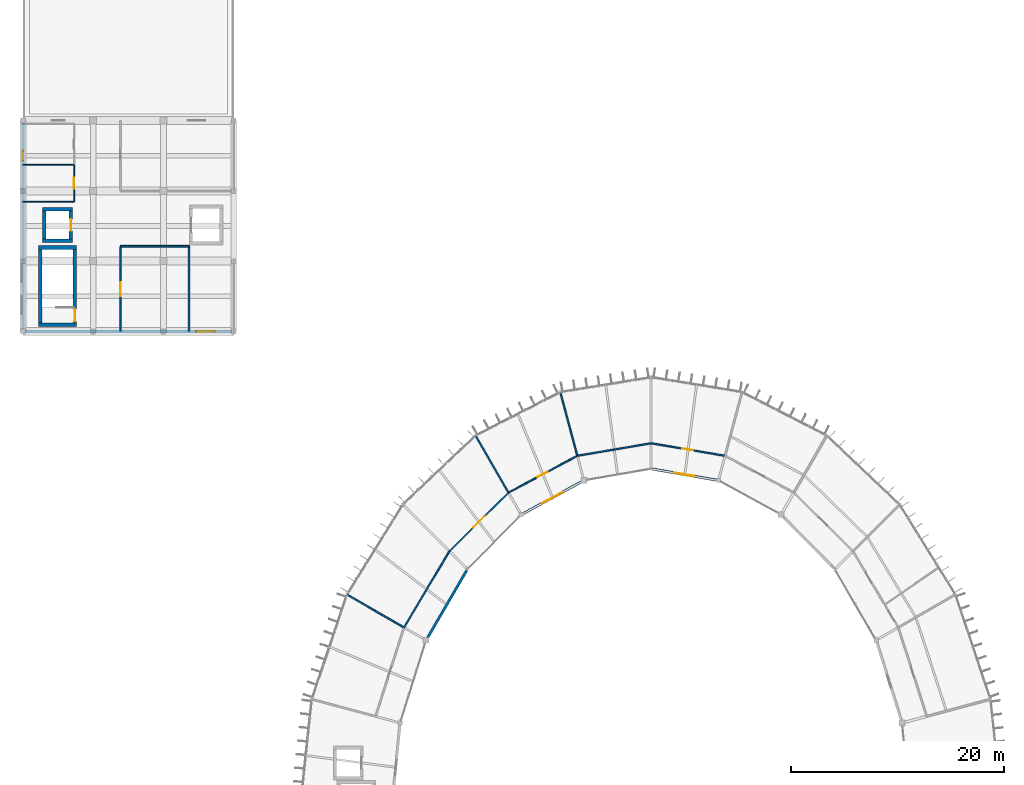
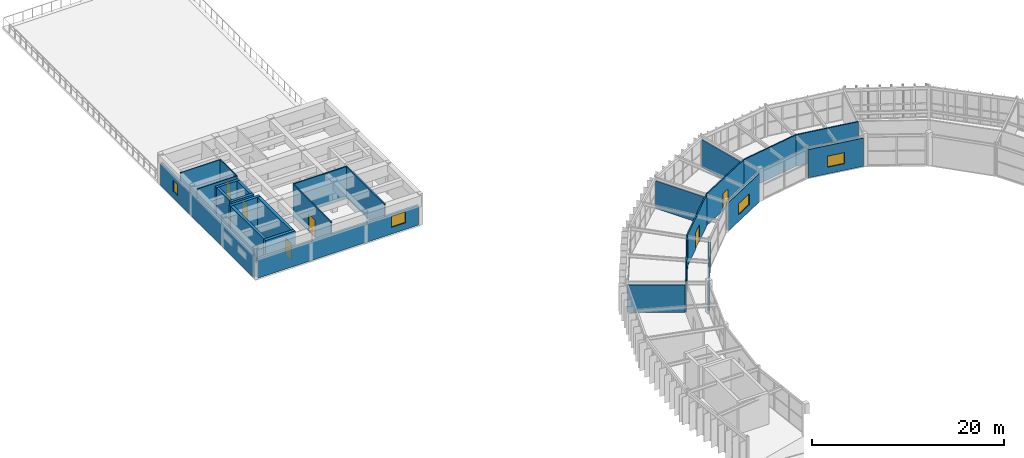
# One storey, part 95 of 106: 27 walls, 7 doors, 4 windows, 11 openings.
"""IFC4 building model written with IfcOpenShell, lengths in metres."""

from ifc_helpers import new_model, si_unit, direction, frame, frame_2d, origin, place, context, subcontext, project, spatial, rectangle, extrude, material, layer, layer_set, type_object, element, fill, save


model = new_model("IFC4")

# Units and contexts
model_context = context("Model", 3, precision=1e-05, world=origin(), true_north=direction((0.0, 1.0)))
body_context = subcontext(model_context, "Body", "Model", "MODEL_VIEW")
ifc_project = project(units=[si_unit("LENGTHUNIT", "METRE"), si_unit("AREAUNIT", "SQUARE_METRE"), si_unit("VOLUMEUNIT", "CUBIC_METRE"), si_unit("PLANEANGLEUNIT", "RADIAN"), si_unit("MASSUNIT", "GRAM", prefix="KILO")], contexts=[model_context])

# Site, building, storey
site_placement = place(None, origin())
site = spatial("IfcSite", under=ifc_project, at=site_placement, CompositionType="ELEMENT")
building_placement = place(site_placement, origin())
building = spatial("IfcBuilding", under=site, at=building_placement, Name="Karori Crest Natural Sciences Institute", CompositionType="ELEMENT")
storey_placement = place(building_placement, frame((0.0, 0.0, 25.89990234375)))
storey = spatial("IfcBuildingStorey", under=building, at=storey_placement, Name="L06", CompositionType="ELEMENT", Elevation=25.89990234375)

# Walls
ifc_material_1 = material(Name="Concrete 50 MPa", Category="concrete")
ifc_layer_1 = layer(ifc_material_1, 0.35009765625, Name="Concrete 50 MPa")
ifc_layer_set_1 = layer_set([ifc_layer_1], Name="Concrete 50 MPa")
wall_type_1 = type_object("IfcWallType", Name="IWT-02", PredefinedType="SHEAR", material=ifc_layer_set_1)
for number, where, z_axis, x_axis, name in (
    (1, (8.85009765625, 95.625, 0.0), (0.0, 0.0, 1.0), (1.0, 0.0, 0.0), "Shear wall IW-0193"),
    (2, (8.85009765625, 102.875, 0.0), (0.0, 0.0, 1.0), (1.0, 0.0, 0.0), "Shear wall IW-0194"),
):
    element("IfcWall", number, at=place(storey_placement, frame(where, z_axis=z_axis, x_axis=x_axis)), inside=storey, type_object=wall_type_1, Name=name, PredefinedType="SHEAR", context=body_context, shape_type="SweptSolid", body=[
        extrude(rectangle(XDim=3.599853515625, YDim=0.35009765625, at=frame_2d((1.7998046875, 0.0))), origin(), (0.0, 0.0, 1.0), 4.0),
    ])
wall_1_placement = place(storey_placement, frame((9.02490234375, 95.802001953125, 0.0), z_axis=(0.0, 0.0, 1.0), x_axis=(0.0, 1.0, 0.0)))
element("IfcWall", 3, at=wall_1_placement, inside=storey, type_object=wall_type_1, Name="Shear wall IW-0195", PredefinedType="SHEAR", context=body_context, shape_type="SweptSolid", body=[
    extrude(rectangle(XDim=6.89599609375, YDim=0.35009765625, at=frame_2d((3.447998046875, 0.0))), origin(), (0.0, 0.0, 1.0), 4.0),
])

# Wall, opening, door
wall_2_placement = place(storey_placement, frame((12.27490234375, 95.802001953125, 0.0), z_axis=(0.0, 0.0, 1.0), x_axis=(0.0, 1.0, 0.0)))
wall_2 = element("IfcWall", 4, at=wall_2_placement, inside=storey, type_object=wall_type_1, Name="Shear wall IW-0196", PredefinedType="SHEAR", context=body_context, shape_type="SweptSolid", body=[
    extrude(rectangle(XDim=6.89599609375, YDim=0.35009765625, at=frame_2d((3.447998046875, 0.0))), origin(), (0.0, 0.0, 1.0), 4.0),
])
opening_1_placement = place(wall_2_placement, frame((0.1201171875, 0.0, 0.0)))
opening_1 = element("IfcOpeningElement", 5, at=opening_1_placement, cuts=wall_2, Name="Opening ID-0049", PredefinedType="OPENING", context=body_context, shape_type="SweptSolid", body=[
    extrude(rectangle(XDim=1.199951171875, YDim=2.14990234375, at=frame_2d((0.60009765625, 1.074951171875))), frame((0.0, 0.18505859375, 0.0), z_axis=(0.0, -1.0, 0.0), x_axis=(1.0, 0.0, 0.0)), (0.0, 0.0, 1.0), 0.3701171875),
])
ifc_material_2 = material(Name="Stainless steel 316 and fire-rated timber", Category="steel")
door_type_1 = type_object("IfcDoorType", Name="IDT-01", OperationType="NOTDEFINED", PredefinedType="DOOR", material=ifc_material_2)
door_1_placement = place(opening_1_placement, origin())
door_1 = element("IfcDoor", 6, at=door_1_placement, inside=storey, type_object=door_type_1, Name="Stair ST-05 fire door ID-0049", OperationType="SINGLE_SWING_LEFT", OverallHeight=2.14990234375, OverallWidth=1.199951171875, PredefinedType="DOOR", context=body_context, shape_type="SweptSolid", body=[
    extrude(rectangle(XDim=1.199951171875, YDim=2.14990234375, at=frame_2d((0.60009765625, 1.074951171875))), frame((0.0, 0.02490234375, 0.0), z_axis=(0.0, -1.0, 0.0), x_axis=(1.0, 0.0, 0.0)), (0.0, 0.0, 1.0), 0.050048828125),
])
fill(opening_1, door_1)

# Walls
ifc_layer_2 = layer(ifc_material_1, 0.320068359375, Name="Concrete 50 MPa")
ifc_layer_set_2 = layer_set([ifc_layer_2], Name="Concrete 50 MPa")
wall_type_2 = type_object("IfcWallType", Name="IWT-03", PredefinedType="SHEAR", material=ifc_layer_set_2)
for number, where, z_axis, x_axis, name in (
    (7, (9.2451171875, 103.5048828125, 0.0), (0.0, 0.0, 1.0), (1.0, 0.0, 0.0), "Shear wall IW-0515"),
    (8, (9.2451171875, 106.4951171875, 0.0), (0.0, 0.0, 1.0), (1.0, 0.0, 0.0), "Shear wall IW-0516"),
):
    element("IfcWall", number, at=place(storey_placement, frame(where, z_axis=z_axis, x_axis=x_axis)), inside=storey, type_object=wall_type_2, Name=name, PredefinedType="SHEAR", context=body_context, shape_type="SweptSolid", body=[
        extrude(rectangle(XDim=2.809814453125, YDim=0.320068359375, at=frame_2d((1.40478515625, 0.0))), origin(), (0.0, 0.0, 1.0), 4.0),
    ])
wall_3_placement = place(storey_placement, frame((9.405029296875, 103.6669921875, 0.0), z_axis=(0.0, 0.0, 1.0), x_axis=(0.0, 1.0, 0.0)))
element("IfcWall", 9, at=wall_3_placement, inside=storey, type_object=wall_type_2, Name="Shear wall IW-0517", PredefinedType="SHEAR", context=body_context, shape_type="SweptSolid", body=[
    extrude(rectangle(XDim=2.666015625, YDim=0.320068359375, at=frame_2d((1.3330078125, 0.0))), origin(), (0.0, 0.0, 1.0), 4.0),
])

# Wall, opening, door
wall_4_placement = place(storey_placement, frame((11.89501953125, 103.6669921875, 0.0), z_axis=(0.0, 0.0, 1.0), x_axis=(0.0, 1.0, 0.0)))
wall_4 = element("IfcWall", 10, at=wall_4_placement, inside=storey, type_object=wall_type_2, Name="Shear wall IW-0518", PredefinedType="SHEAR", context=body_context, shape_type="SweptSolid", body=[
    extrude(rectangle(XDim=2.666015625, YDim=0.320068359375, at=frame_2d((1.3330078125, 0.0))), origin(), (0.0, 0.0, 1.0), 4.0),
])
opening_2_placement = place(wall_4_placement, frame((0.782958984375, 0.0, 0.0)))
opening_2 = element("IfcOpeningElement", 11, at=opening_2_placement, cuts=wall_4, Name="Opening LD-0055", PredefinedType="OPENING", context=body_context, shape_type="SweptSolid", body=[
    extrude(rectangle(XDim=1.10009765625, YDim=2.14990234375, at=frame_2d((0.550048828125, 1.074951171875))), frame((0.0, 0.169921875, 0.0), z_axis=(0.0, -1.0, 0.0), x_axis=(1.0, 0.0, 0.0)), (0.0, 0.0, 1.0), 0.340087890625),
])
door_type_2 = type_object("IfcDoorType", Name="LDT-01", OperationType="SLIDING_TO_LEFT", PredefinedType="DOOR", material=ifc_material_2)
door_2_placement = place(opening_2_placement, origin())
door_2 = element("IfcDoor", 12, at=door_2_placement, inside=storey, type_object=door_type_2, Name="Lift LP-04 landing door LD-0055", OperationType="SLIDING_TO_LEFT", OverallHeight=2.14990234375, OverallWidth=1.10009765625, PredefinedType="DOOR", context=body_context, shape_type="SweptSolid", body=[
    extrude(rectangle(XDim=1.10009765625, YDim=2.14990234375, at=frame_2d((0.550048828125, 1.074951171875))), frame((0.0, 0.02490234375, 0.0), z_axis=(0.0, -1.0, 0.0), x_axis=(1.0, 0.0, 0.0)), (0.0, 0.0, 1.0), 0.050048828125),
])
fill(opening_2, door_2)

# Wall
ifc_material_3 = material(Name="Clean-room insulated fire partition")
ifc_layer_3 = layer(ifc_material_3, 0.14990234375, Name="Clean-room insulated fire partition")
ifc_layer_set_3 = layer_set([ifc_layer_3], Name="Clean-room insulated fire partition")
wall_type_3 = type_object("IfcWallType", Name="IWT-06", PredefinedType="PARTITIONING", material=ifc_layer_set_3)
wall_5_placement = place(storey_placement, frame((16.550048828125, 103.0, 0.0), z_axis=(0.0, 0.0, 1.0), x_axis=(1.0, 0.0, 0.0)))
element("IfcWall", 13, at=wall_5_placement, inside=storey, type_object=wall_type_3, Name="Partition wall IW-1045", PredefinedType="PARTITIONING", context=body_context, shape_type="SweptSolid", body=[
    extrude(rectangle(XDim=6.449951171875, YDim=0.14990234375, at=frame_2d((3.22509765625, 0.0))), origin(), (0.0, 0.0, 1.0), 3.97998046875),
])

# Wall, opening, door
wall_6_placement = place(storey_placement, frame((16.550048828125, 95.0, 0.0), z_axis=(0.0, 0.0, 1.0), x_axis=(0.0, 1.0, 0.0)))
wall_6 = element("IfcWall", 14, at=wall_6_placement, inside=storey, type_object=wall_type_3, Name="Partition wall IW-1046", PredefinedType="PARTITIONING", context=body_context, shape_type="SweptSolid", body=[
    extrude(rectangle(XDim=7.923095703125, YDim=0.14990234375, at=frame_2d((3.96142578125, 0.0))), origin(), (0.0, 0.0, 1.0), 3.97998046875),
])
opening_3_placement = place(wall_6_placement, frame((3.3115234375, 0.0, 0.0)))
opening_3 = element("IfcOpeningElement", 15, at=opening_3_placement, cuts=wall_6, Name="Opening ID-0291", PredefinedType="OPENING", context=body_context, shape_type="SweptSolid", body=[
    extrude(rectangle(XDim=1.300048828125, YDim=2.199951171875, at=frame_2d((0.64990234375, 1.10009765625))), frame((0.0, 0.0849609375, 0.0), z_axis=(0.0, -1.0, 0.0), x_axis=(1.0, 0.0, 0.0)), (0.0, 0.0, 1.0), 0.169921875),
])
door_type_3 = type_object("IfcDoorType", Name="IDT-04", OperationType="NOTDEFINED", PredefinedType="DOOR", material=ifc_material_2)
door_3_placement = place(opening_3_placement, origin())
door_3 = element("IfcDoor", 16, at=door_3_placement, inside=storey, type_object=door_type_3, Name="Clean-Room FFU Makeup Air Plant Room door ID-0291", OperationType="SINGLE_SWING_LEFT", OverallHeight=2.199951171875, OverallWidth=1.300048828125, PredefinedType="DOOR", context=body_context, shape_type="SweptSolid", body=[
    extrude(rectangle(XDim=1.300048828125, YDim=2.199951171875, at=frame_2d((0.64990234375, 1.10009765625))), frame((0.0, 0.02490234375, 0.0), z_axis=(0.0, -1.0, 0.0), x_axis=(1.0, 0.0, 0.0)), (0.0, 0.0, 1.0), 0.050048828125),
])
fill(opening_3, door_3)

# Wall
wall_7_placement = place(storey_placement, frame((23.0, 95.0, 0.0), z_axis=(0.0, 0.0, 1.0), x_axis=(0.0, 1.0, 0.0)))
element("IfcWall", 17, at=wall_7_placement, inside=storey, type_object=wall_type_3, Name="Partition wall IW-1047", PredefinedType="PARTITIONING", context=body_context, shape_type="SweptSolid", body=[
    extrude(rectangle(XDim=8.0, YDim=0.14990234375, at=frame_2d((4.0, 0.0))), origin(), (0.0, 0.0, 1.0), 3.97998046875),
])

# Wall, opening, door
ifc_material_4 = material(Name="Laboratory acoustic drywall partition")
ifc_layer_4 = layer(ifc_material_4, 0.139892578125, Name="Laboratory acoustic drywall partition")
ifc_layer_set_4 = layer_set([ifc_layer_4], Name="Laboratory acoustic drywall partition")
wall_type_4 = type_object("IfcWallType", Name="IWT-07", PredefinedType="PARTITIONING", material=ifc_layer_set_4)
wall_8_placement = place(storey_placement, frame((73.26513671875, 83.3330078125, 0.0), z_axis=(0.0, 0.0, 1.0), x_axis=(-0.985858163623, 0.167581864229, 0.0)))
wall_8 = element("IfcWall", 18, at=wall_8_placement, inside=storey, type_object=wall_type_4, Name="Partition wall IW-1430", PredefinedType="PARTITIONING", context=body_context, shape_type="SweptSolid", body=[
    extrude(rectangle(XDim=6.963623046875, YDim=0.139892578125, at=frame_2d((3.48193359375, 0.0))), origin(), (0.0, 0.0, 1.0), 4.0),
])
opening_4_placement = place(wall_8_placement, frame((2.956787109375, 0.0, 0.0)))
opening_4 = element("IfcOpeningElement", 19, at=opening_4_placement, cuts=wall_8, Name="Opening ID-0458", PredefinedType="OPENING", context=body_context, shape_type="SweptSolid", body=[
    extrude(rectangle(XDim=1.050048828125, YDim=2.14990234375, at=frame_2d((0.52490234375, 1.074951171875))), frame((0.0, 0.080078125, 0.0), z_axis=(0.0, -1.0, 0.0), x_axis=(1.0, 0.0, 0.0)), (0.0, 0.0, 1.0), 0.159912109375),
])
door_type_4 = type_object("IfcDoorType", Name="IDT-03", OperationType="NOTDEFINED", PredefinedType="DOOR", material=ifc_material_2)
door_4_placement = place(opening_4_placement, origin())
door_4 = element("IfcDoor", 20, at=door_4_placement, inside=storey, type_object=door_type_4, Name="Wet Biology Laboratory door ID-0458", OperationType="SINGLE_SWING_RIGHT", OverallHeight=2.14990234375, OverallWidth=1.050048828125, PredefinedType="DOOR", context=body_context, shape_type="SweptSolid", body=[
    extrude(rectangle(XDim=1.050048828125, YDim=2.14990234375, at=frame_2d((0.52490234375, 1.074951171875))), frame((0.0, 0.02490234375, 0.0), z_axis=(0.0, -1.0, 0.0), x_axis=(1.0, 0.0, 0.0)), (0.0, 0.0, 1.0), 0.050048828125),
])
fill(opening_4, door_4)

# Walls
wall_9_placement = place(storey_placement, frame((66.39794921875, 84.499755859375, 0.0), z_axis=(0.0, 0.0, 1.0), x_axis=(-0.985858771321, -0.167578289193, 0.0)))
element("IfcWall", 21, at=wall_9_placement, inside=storey, type_object=wall_type_4, Name="Partition wall IW-1431", PredefinedType="PARTITIONING", context=body_context, shape_type="SweptSolid", body=[
    extrude(rectangle(XDim=7.03369140625, YDim=0.139892578125, at=frame_2d((3.516845703125, 0.0))), origin(), (0.0, 0.0, 1.0), 4.0),
])
wall_10_placement = place(storey_placement, frame((59.44287109375, 83.398193359375, 0.0), z_axis=(0.0, 0.0, 1.0), x_axis=(-0.258805895167, 0.965929349708, 0.0)))
element("IfcWall", 22, at=wall_10_placement, inside=storey, type_object=wall_type_4, Name="Partition wall IW-1432", PredefinedType="PARTITIONING", context=body_context, shape_type="SweptSolid", body=[
    extrude(rectangle(XDim=6.06005859375, YDim=0.139892578125, at=frame_2d((3.030029296875, 0.0))), origin(), (0.0, 0.0, 1.0), 3.522216796875),
])

# Wall, opening, door
wall_11_placement = place(storey_placement, frame((59.3984375, 83.2861328125, 0.0), z_axis=(0.0, 0.0, 1.0), x_axis=(-0.881829873621, -0.471567676999, 0.0)))
wall_11 = element("IfcWall", 23, at=wall_11_placement, inside=storey, type_object=wall_type_4, Name="Partition wall IW-1433", PredefinedType="PARTITIONING", context=body_context, shape_type="SweptSolid", body=[
    extrude(rectangle(XDim=7.255859375, YDim=0.139892578125, at=frame_2d((3.6279296875, 0.0))), origin(), (0.0, 0.0, 1.0), 4.0),
])
opening_5_placement = place(wall_11_placement, frame((3.10302734375, 0.0, 0.0)))
opening_5 = element("IfcOpeningElement", 24, at=opening_5_placement, cuts=wall_11, Name="Opening ID-0459", PredefinedType="OPENING", context=body_context, shape_type="SweptSolid", body=[
    extrude(rectangle(XDim=1.050048828125, YDim=2.14990234375, at=frame_2d((0.52490234375, 1.074951171875))), frame((0.0, 0.080078125, 0.0), z_axis=(0.0, -1.0, 0.0), x_axis=(1.0, 0.0, 0.0)), (0.0, 0.0, 1.0), 0.159912109375),
])
door_5_placement = place(opening_5_placement, origin())
door_5 = element("IfcDoor", 25, at=door_5_placement, inside=storey, type_object=door_type_4, Name="Organic Biogeochemistry Laboratory door ID-0459", OperationType="SINGLE_SWING_LEFT", OverallHeight=2.14990234375, OverallWidth=1.050048828125, PredefinedType="DOOR", context=body_context, shape_type="SweptSolid", body=[
    extrude(rectangle(XDim=1.050048828125, YDim=2.14990234375, at=frame_2d((0.52490234375, 1.074951171875))), frame((0.0, 0.02490234375, 0.0), z_axis=(0.0, -1.0, 0.0), x_axis=(1.0, 0.0, 0.0)), (0.0, 0.0, 1.0), 0.050048828125),
])
fill(opening_5, door_5)

# Wall
wall_12_placement = place(storey_placement, frame((52.9599609375, 79.933837890625, 0.0), z_axis=(0.0, 0.0, 1.0), x_axis=(-0.500008418462, 0.866020543329, 0.0)))
element("IfcWall", 26, at=wall_12_placement, inside=storey, type_object=wall_type_4, Name="Partition wall IW-1434", PredefinedType="PARTITIONING", context=body_context, shape_type="SweptSolid", body=[
    extrude(rectangle(XDim=6.06005859375, YDim=0.139892578125, at=frame_2d((3.030029296875, 0.0))), origin(), (0.0, 0.0, 1.0), 3.522216796875),
])

# Wall, opening, door
wall_13_placement = place(storey_placement, frame((52.99853515625, 79.863037109375, 0.0), z_axis=(0.0, 0.0, 1.0), x_axis=(-0.710427757183, -0.703770134222, 0.0)))
wall_13 = element("IfcWall", 27, at=wall_13_placement, inside=storey, type_object=wall_type_4, Name="Partition wall IW-1435", PredefinedType="PARTITIONING", context=body_context, shape_type="SweptSolid", body=[
    extrude(rectangle(XDim=7.810791015625, YDim=0.139892578125, at=frame_2d((3.9052734375, 0.0))), origin(), (0.0, 0.0, 1.0), 4.0),
])
opening_6_placement = place(wall_13_placement, frame((3.155517578125, 0.0, 0.0)))
opening_6 = element("IfcOpeningElement", 28, at=opening_6_placement, cuts=wall_13, Name="Opening ID-0460", PredefinedType="OPENING", context=body_context, shape_type="SweptSolid", body=[
    extrude(rectangle(XDim=1.5, YDim=2.14990234375, at=frame_2d((0.75, 1.074951171875))), frame((0.0, 0.080078125, 0.0), z_axis=(0.0, -1.0, 0.0), x_axis=(1.0, 0.0, 0.0)), (0.0, 0.0, 1.0), 0.159912109375),
])
door_type_5 = type_object("IfcDoorType", Name="IDT-05", OperationType="DOUBLE_DOOR_SINGLE_SWING", PredefinedType="DOOR", material=ifc_material_2)
door_6_placement = place(opening_6_placement, origin())
door_6 = element("IfcDoor", 29, at=door_6_placement, inside=storey, type_object=door_type_5, Name="Molecular Ecology Wet Laboratory door ID-0460", OperationType="DOUBLE_DOOR_SINGLE_SWING", OverallHeight=2.14990234375, OverallWidth=1.5, PredefinedType="DOOR", context=body_context, shape_type="SweptSolid", body=[
    extrude(rectangle(XDim=1.5, YDim=2.14990234375, at=frame_2d((0.75, 1.074951171875))), frame((0.0, 0.02490234375, 0.0), z_axis=(0.0, -1.0, 0.0), x_axis=(1.0, 0.0, 0.0)), (0.0, 0.0, 1.0), 0.050048828125),
])
fill(opening_6, door_6)

# Walls
wall_14_placement = place(storey_placement, frame((47.448486328125, 74.3642578125, 0.0), z_axis=(0.0, 0.0, 1.0), x_axis=(-0.510915698067, -0.859630821614, 0.0)))
element("IfcWall", 30, at=wall_14_placement, inside=storey, type_object=wall_type_4, Name="Partition wall IW-1436", PredefinedType="PARTITIONING", context=body_context, shape_type="SweptSolid", body=[
    extrude(rectangle(XDim=8.334228515625, YDim=0.139892578125, at=frame_2d((4.1669921875, 0.0))), origin(), (0.0, 0.0, 1.0), 4.0),
])
wall_15_placement = place(storey_placement, frame((43.12109375, 67.239990234375, 0.0), z_axis=(0.0, 0.0, 1.0), x_axis=(-0.866010470582, 0.500025864173, 0.0)))
element("IfcWall", 31, at=wall_15_placement, inside=storey, type_object=wall_type_4, Name="Partition wall IW-1437", PredefinedType="PARTITIONING", context=body_context, shape_type="SweptSolid", body=[
    extrude(rectangle(XDim=6.059814453125, YDim=0.139892578125, at=frame_2d((3.02978515625, 0.0))), origin(), (0.0, 0.0, 1.0), 3.522216796875),
])
ifc_material_5 = material(Name="Washroom moisture-resistant partition")
ifc_layer_5 = layer(ifc_material_5, 0.10009765625, Name="Washroom moisture-resistant partition")
ifc_layer_set_5 = layer_set([ifc_layer_5], Name="Washroom moisture-resistant partition")
wall_type_5 = type_object("IfcWallType", Name="IWT-09", PredefinedType="PARTITIONING", material=ifc_layer_set_5)
for number, where, z_axis, x_axis, name in (
    (32, (7.39990234375, 107.199951171875, 0.0), (0.0, 0.0, 1.0), (1.0, 0.0, 0.0), "Partition wall IW-1040"),
    (33, (7.39990234375, 110.64990234375, 0.0), (0.0, 0.0, 1.0), (1.0, 0.0, 0.0), "Partition wall IW-1041"),
):
    element("IfcWall", number, at=place(storey_placement, frame(where, z_axis=z_axis, x_axis=x_axis)), inside=storey, type_object=wall_type_5, Name=name, PredefinedType="PARTITIONING", context=body_context, shape_type="SweptSolid", body=[
        extrude(rectangle(XDim=4.800048828125, YDim=0.10009765625, at=frame_2d((2.39990234375, 0.0))), origin(), (0.0, 0.0, 1.0), 3.97998046875),
    ])

# Wall, opening, door
wall_16_placement = place(storey_placement, frame((12.199951171875, 107.199951171875, 0.0), z_axis=(0.0, 0.0, 1.0), x_axis=(0.0, 1.0, 0.0)))
wall_16 = element("IfcWall", 34, at=wall_16_placement, inside=storey, type_object=wall_type_5, Name="Partition wall IW-1042", PredefinedType="PARTITIONING", context=body_context, shape_type="SweptSolid", body=[
    extrude(rectangle(XDim=3.449951171875, YDim=0.10009765625, at=frame_2d((1.72509765625, 0.0))), origin(), (0.0, 0.0, 1.0), 3.97998046875),
])
opening_7_placement = place(wall_16_placement, frame((1.22509765625, 0.0, 0.0)))
opening_7 = element("IfcOpeningElement", 35, at=opening_7_placement, cuts=wall_16, Name="Opening ID-0289", PredefinedType="OPENING", context=body_context, shape_type="SweptSolid", body=[
    extrude(rectangle(XDim=1.0, YDim=2.10009765625, at=frame_2d((0.5, 1.050048828125))), frame((0.0, 0.06005859375, 0.0), z_axis=(0.0, -1.0, 0.0), x_axis=(1.0, 0.0, 0.0)), (0.0, 0.0, 1.0), 0.1201171875),
])
ifc_material_6 = material(Name="Anodised aluminium and acoustic timber", Category="wood")
door_type_6 = type_object("IfcDoorType", Name="IDT-09", OperationType="NOTDEFINED", PredefinedType="DOOR", material=ifc_material_6)
door_7_placement = place(opening_7_placement, origin())
door_7 = element("IfcDoor", 36, at=door_7_placement, inside=storey, type_object=door_type_6, Name="Accessible WC door ID-0289", OperationType="SINGLE_SWING_LEFT", OverallHeight=2.10009765625, OverallWidth=1.0, PredefinedType="DOOR", context=body_context, shape_type="SweptSolid", body=[
    extrude(rectangle(XDim=1.0, YDim=2.10009765625, at=frame_2d((0.5, 1.050048828125))), frame((0.0, 0.02490234375, 0.0), z_axis=(0.0, -1.0, 0.0), x_axis=(1.0, 0.0, 0.0)), (0.0, 0.0, 1.0), 0.050048828125),
])
fill(opening_7, door_7)

# Wall, opening, window
ifc_material_7 = material(Name="Precast concrete 40 MPa", Category="concrete")
ifc_layer_6 = layer(ifc_material_7, 0.260009765625, Name="Precast concrete 40 MPa")
ifc_layer_set_6 = layer_set([ifc_layer_6], Name="Precast concrete 40 MPa")
wall_type_6 = type_object("IfcWallType", Name="WT-03", PredefinedType="SOLIDWALL", material=ifc_layer_set_6)
wall_17_placement = place(storey_placement, frame((7.39990234375, 95.222900390625, 0.0), z_axis=(0.0, 0.0, 1.0), x_axis=(0.0, 1.0, 0.0)))
wall_17 = element("IfcWall", 37, at=wall_17_placement, inside=storey, type_object=wall_type_6, Name="Exterior wall EW-0182", PredefinedType="SOLIDWALL", context=body_context, shape_type="SweptSolid", body=[
    extrude(rectangle(XDim=19.35400390625, YDim=0.260009765625, at=frame_2d((9.677001953125, 0.0))), origin(), (0.0, 0.0, 1.0), 2.885009765625),
])
opening_8_placement = place(wall_17_placement, frame((15.826904296875, 0.0, 0.85009765625)))
opening_8 = element("IfcOpeningElement", 38, at=opening_8_placement, cuts=wall_17, Name="Opening WN-0126", PredefinedType="OPENING", context=body_context, shape_type="SweptSolid", body=[
    extrude(rectangle(XDim=0.89990234375, YDim=1.35009765625, at=frame_2d((0.449951171875, 0.675048828125))), frame((0.0, 0.14013671875, 0.0), z_axis=(0.0, -1.0, 0.0), x_axis=(1.0, 0.0, 0.0)), (0.0, 0.0, 1.0), 0.280029296875),
])
ifc_material_8 = material(Name="Double low-E laminated glass", Category="glass")
window_type_1 = type_object("IfcWindowType", Name="WNT-17", PartitioningType="SINGLE_PANEL", PredefinedType="WINDOW", material=ifc_material_8)
window_1_placement = place(opening_8_placement, origin())
window_1 = element("IfcWindow", 39, at=window_1_placement, inside=storey, type_object=window_type_1, Name="Window WN-0126", OverallHeight=1.35009765625, OverallWidth=0.89990234375, PartitioningType="SINGLE_PANEL", PredefinedType="WINDOW", context=body_context, shape_type="SweptSolid", body=[
    extrude(rectangle(XDim=0.89990234375, YDim=1.35009765625, at=frame_2d((0.449951171875, 0.675048828125))), frame((0.0, 0.030029296875, 0.0), z_axis=(0.0, -1.0, 0.0), x_axis=(1.0, 0.0, 0.0)), (0.0, 0.0, 1.0), 0.06005859375),
])
fill(opening_8, window_1)

wall_18_placement = place(storey_placement, frame((26.97705078125, 95.0, 0.0), z_axis=(0.0, 0.0, 1.0), x_axis=(-1.0, 0.0, 0.0)))
wall_18 = element("IfcWall", 40, at=wall_18_placement, inside=storey, type_object=wall_type_6, Name="Exterior wall EW-0184", PredefinedType="SOLIDWALL", context=body_context, shape_type="SweptSolid", body=[
    extrude(rectangle(XDim=19.35400390625, YDim=0.260009765625, at=frame_2d((9.677001953125, 0.0))), origin(), (0.0, 0.0, 1.0), 2.47998046875),
])
opening_9_placement = place(wall_18_placement, frame((1.576904296875, 0.0, 0.85009765625)))
opening_9 = element("IfcOpeningElement", 41, at=opening_9_placement, cuts=wall_18, Name="Opening WN-0128", PredefinedType="OPENING", context=body_context, shape_type="SweptSolid", body=[
    extrude(rectangle(XDim=1.699951171875, YDim=1.39990234375, at=frame_2d((0.85009765625, 0.699951171875))), frame((0.0, 0.14013671875, 0.0), z_axis=(0.0, -1.0, 0.0), x_axis=(1.0, 0.0, 0.0)), (0.0, 0.0, 1.0), 0.280029296875),
])
window_type_2 = type_object("IfcWindowType", Name="WNT-05", PartitioningType="SINGLE_PANEL", PredefinedType="WINDOW", material=ifc_material_8)
window_2_placement = place(opening_9_placement, origin())
window_2 = element("IfcWindow", 42, at=window_2_placement, inside=storey, type_object=window_type_2, Name="Window WN-0128", OverallHeight=1.39990234375, OverallWidth=1.699951171875, PartitioningType="SINGLE_PANEL", PredefinedType="WINDOW", context=body_context, shape_type="SweptSolid", body=[
    extrude(rectangle(XDim=1.699951171875, YDim=1.39990234375, at=frame_2d((0.85009765625, 0.699951171875))), frame((0.0, 0.030029296875, 0.0), z_axis=(0.0, -1.0, 0.0), x_axis=(1.0, 0.0, 0.0)), (0.0, 0.0, 1.0), 0.06005859375),
])
fill(opening_9, window_2)

ifc_layer_7 = layer(ifc_material_7, 0.239990234375, Name="Precast concrete 40 MPa")
ifc_layer_set_7 = layer_set([ifc_layer_7], Name="Precast concrete 40 MPa")
wall_type_7 = type_object("IfcWallType", Name="WT-04", PredefinedType="SOLIDWALL", material=ifc_layer_set_7)
wall_19_placement = place(storey_placement, frame((72.51708984375, 81.037109375, 0.0), z_axis=(0.0, 0.0, 1.0), x_axis=(-0.985238151149, 0.171189326539, 0.0)))
wall_19 = element("IfcWall", 43, at=wall_19_placement, inside=storey, type_object=wall_type_7, Name="Exterior wall EW-0106", PredefinedType="SOLIDWALL", context=body_context, shape_type="SweptSolid", body=[
    extrude(rectangle(XDim=6.106689453125, YDim=0.239990234375, at=frame_2d((3.05322265625, 0.0))), origin(), (0.0, 0.0, 1.0), 3.60009765625),
])
opening_10_placement = place(wall_19_placement, frame((2.12841796875, 0.0, 0.85009765625)))
opening_10 = element("IfcOpeningElement", 44, at=opening_10_placement, cuts=wall_19, Name="Opening WN-0050", PredefinedType="OPENING", context=body_context, shape_type="SweptSolid", body=[
    extrude(rectangle(XDim=1.85009765625, YDim=1.39990234375, at=frame_2d((0.925048828125, 0.699951171875))), frame((0.0, 0.1298828125, 0.0), z_axis=(0.0, -1.0, 0.0), x_axis=(1.0, 0.0, 0.0)), (0.0, 0.0, 1.0), 0.260009765625),
])
window_type_3 = type_object("IfcWindowType", Name="WNT-06", PartitioningType="SINGLE_PANEL", PredefinedType="WINDOW", material=ifc_material_8)
window_3_placement = place(opening_10_placement, origin())
window_3 = element("IfcWindow", 45, at=window_3_placement, inside=storey, type_object=window_type_3, Name="Window WN-0050", OverallHeight=1.39990234375, OverallWidth=1.85009765625, PartitioningType="SINGLE_PANEL", PredefinedType="WINDOW", context=body_context, shape_type="SweptSolid", body=[
    extrude(rectangle(XDim=1.85009765625, YDim=1.39990234375, at=frame_2d((0.925048828125, 0.699951171875))), frame((0.0, 0.030029296875, 0.0), z_axis=(0.0, -1.0, 0.0), x_axis=(1.0, 0.0, 0.0)), (0.0, 0.0, 1.0), 0.06005859375),
])
fill(opening_10, window_3)

wall_20_placement = place(storey_placement, frame((59.8115234375, 80.853515625, 0.0), z_axis=(0.0, 0.0, 1.0), x_axis=(-0.877452080284, -0.479664306369, 0.0)))
wall_20 = element("IfcWall", 46, at=wall_20_placement, inside=storey, type_object=wall_type_7, Name="Exterior wall EW-0107", PredefinedType="SOLIDWALL", context=body_context, shape_type="SweptSolid", body=[
    extrude(rectangle(XDim=6.16943359375, YDim=0.239990234375, at=frame_2d((3.084716796875, 0.0))), origin(), (0.0, 0.0, 1.0), 3.60009765625),
])
opening_11_placement = place(wall_20_placement, frame((2.009765625, 0.0, 0.85009765625)))
opening_11 = element("IfcOpeningElement", 47, at=opening_11_placement, cuts=wall_20, Name="Opening WN-0051", PredefinedType="OPENING", context=body_context, shape_type="SweptSolid", body=[
    extrude(rectangle(XDim=2.14990234375, YDim=1.39990234375, at=frame_2d((1.074951171875, 0.699951171875))), frame((0.0, 0.1298828125, 0.0), z_axis=(0.0, -1.0, 0.0), x_axis=(1.0, 0.0, 0.0)), (0.0, 0.0, 1.0), 0.260009765625),
])
window_type_4 = type_object("IfcWindowType", Name="WNT-08", PartitioningType="SINGLE_PANEL", PredefinedType="WINDOW", material=ifc_material_8)
window_4_placement = place(opening_11_placement, origin())
window_4 = element("IfcWindow", 48, at=window_4_placement, inside=storey, type_object=window_type_4, Name="Window WN-0051", OverallHeight=1.39990234375, OverallWidth=2.14990234375, PartitioningType="SINGLE_PANEL", PredefinedType="WINDOW", context=body_context, shape_type="SweptSolid", body=[
    extrude(rectangle(XDim=2.14990234375, YDim=1.39990234375, at=frame_2d((1.074951171875, 0.699951171875))), frame((0.0, 0.030029296875, 0.0), z_axis=(0.0, -1.0, 0.0), x_axis=(1.0, 0.0, 0.0)), (0.0, 0.0, 1.0), 0.06005859375),
])
fill(opening_11, window_4)

# Wall
wall_21_placement = place(storey_placement, frame((49.08642578125, 72.5654296875, 0.0), z_axis=(0.0, 0.0, 1.0), x_axis=(-0.502637947221, -0.864497017932, 0.0)))
element("IfcWall", 49, at=wall_21_placement, inside=storey, type_object=wall_type_7, Name="Exterior wall EW-0108", PredefinedType="SOLIDWALL", context=body_context, shape_type="SweptSolid", body=[
    extrude(rectangle(XDim=7.278564453125, YDim=0.239990234375, at=frame_2d((3.63916015625, 0.0))), origin(), (0.0, 0.0, 1.0), 3.60009765625),
])

save(model, "model.ifc")
